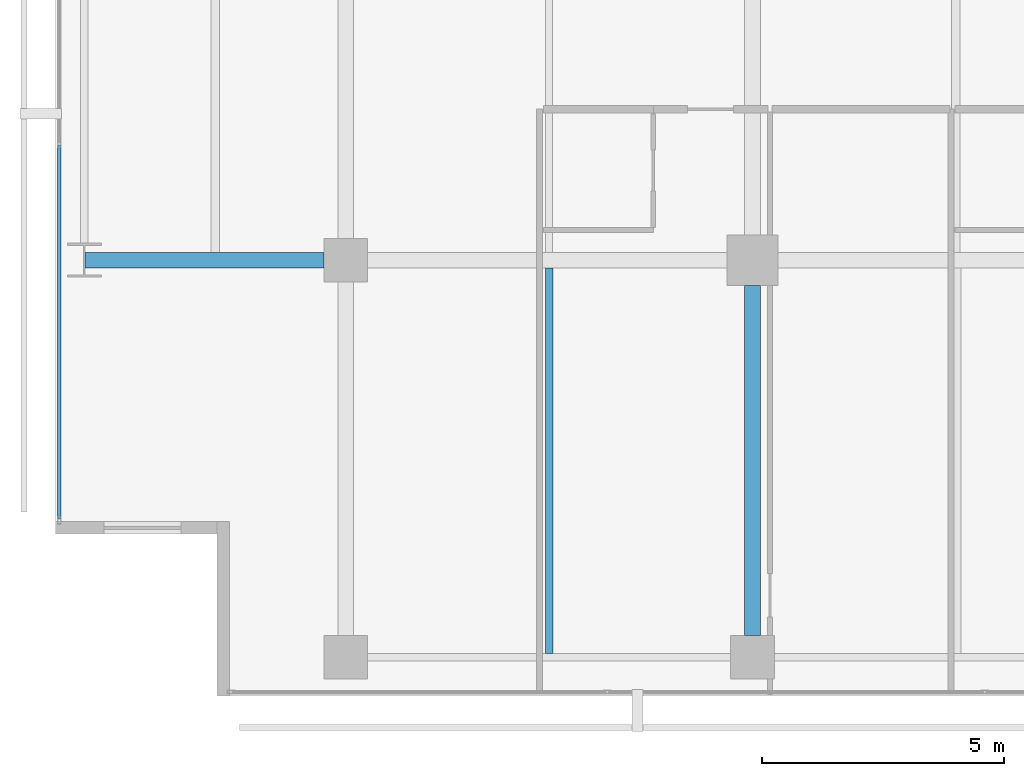
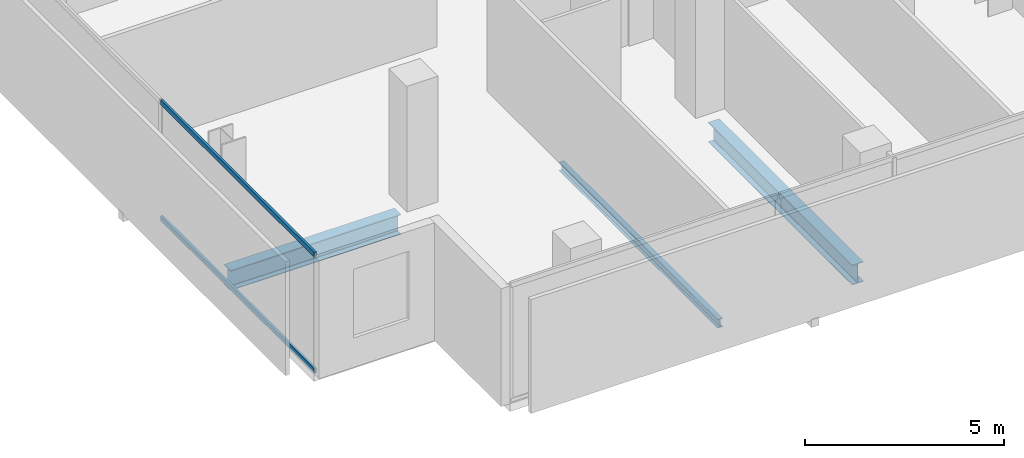
# One storey, part 4 of 40: 3 beams, 2 members, 1 element without a shape of its own.
"""IFC4 building model written with IfcOpenShell, lengths in metres."""

from ifc_helpers import new_model, si_unit, direction, frame, origin, origin_2d, place, context, subcontext, project, spatial, hollow_rectangle, i_section, extrude, material, layer, layer_set, material_profile, profile_set, type_object, element, aggregate, save


model = new_model("IFC4")

# Units and contexts
model_context = context("Model", 3, precision=1e-05, world=origin(), true_north=direction((0.0, 1.0)))
body_context = subcontext(model_context, "Body", "Model", "MODEL_VIEW")
ifc_project = project(units=[si_unit("LENGTHUNIT", "METRE"), si_unit("AREAUNIT", "SQUARE_METRE"), si_unit("VOLUMEUNIT", "CUBIC_METRE"), si_unit("PLANEANGLEUNIT", "RADIAN"), si_unit("MASSUNIT", "GRAM", prefix="KILO")], contexts=[model_context])

# Site, building, storey
site_placement = place(None, origin())
site = spatial("IfcSite", under=ifc_project, at=site_placement, CompositionType="ELEMENT")
building_placement = place(site_placement, origin())
building = spatial("IfcBuilding", under=site, at=building_placement, Name="Maruvema Waterfront Hotel and Observation Tower", CompositionType="ELEMENT")
storey_placement = place(building_placement, frame((0.0, 0.0, 88.550048828125)))
storey = spatial("IfcBuildingStorey", under=building, at=storey_placement, Name="L21", CompositionType="ELEMENT", Elevation=88.550048828125)

# Curtain wall, members
ifc_material_1 = material(Name="Anodised bronze aluminium and solar-control low-E IGU", Category="aluminium")
ifc_layer = layer(ifc_material_1, 0.159912109375, Name="Zone 1 Bronze Inner Thermal Curtain Wall System CW-02")
ifc_layer_set = layer_set([ifc_layer], Name="Anodised bronze aluminium and solar-control low-E IGU")
curtain_wall_type = type_object("IfcCurtainWallType", Name="Zone 1 Bronze Inner Thermal Curtain Wall System CW-02", PredefinedType="USERDEFINED", material=ifc_layer_set)
curtain_wall_placement = place(storey_placement, origin())
curtain_wall = element("IfcCurtainWall", 1, at=curtain_wall_placement, inside=storey, type_object=curtain_wall_type, Name="L21 Curtain Wall CW-L21-W", ObjectType="UNITISED CURTAIN WALL", PredefinedType="USERDEFINED")
ifc_material_2 = material(Name="Anodised architectural bronze aluminium", Category="aluminium")
ifc_material_profile_1 = material_profile(ifc_material_2, hollow_rectangle(XDim=0.070068359375, YDim=0.14990234375, WallThickness=0.00390625, at=origin_2d()), Name="ALU-T70x150")
ifc_profile_set_1 = profile_set([ifc_material_profile_1], Name="Anodised architectural bronze aluminium")
member_type = type_object("IfcMemberType", Name="Curtain Wall Horizontal Transom ALU-T70x150", PredefinedType="USERDEFINED", material=ifc_profile_set_1)
member_1_placement = place(storey_placement, frame((10.8798828125, 11.3701171875, 0.030029296875), z_axis=(0.0, -1.0, 0.0), x_axis=(1.0, 0.0, 0.0)))
member_1 = element("IfcMember", 2, at=member_1_placement, type_object=member_type, Name="CW-02 transom 6.1", ObjectType="TRANSOM", PredefinedType="USERDEFINED", context=body_context, shape_type="SweptSolid", body=[
    extrude(hollow_rectangle(XDim=0.070068359375, YDim=0.14990234375, WallThickness=0.00390625, at=origin_2d()), origin(), (0.0, 0.0, 1.0), 7.710205078125),
])
member_2_placement = place(storey_placement, frame((10.8798828125, 11.3701171875, 3.579833984375), z_axis=(0.0, -1.0, 0.0), x_axis=(1.0, 0.0, 0.0)))
member_2 = element("IfcMember", 3, at=member_2_placement, type_object=member_type, Name="CW-02 transom 6.2", ObjectType="TRANSOM", PredefinedType="USERDEFINED", context=body_context, shape_type="SweptSolid", body=[
    extrude(hollow_rectangle(XDim=0.070068359375, YDim=0.14990234375, WallThickness=0.00390625, at=origin_2d()), origin(), (0.0, 0.0, 1.0), 7.710205078125),
])
aggregate(curtain_wall, [member_1, member_2])

# Beams
ifc_material_3 = material(Name="Steel ASTM A572 Grade 50", Category="steel")
ifc_material_profile_2 = material_profile(ifc_material_3, i_section(OverallWidth=0.323974609375, OverallDepth=0.611083984375, WebThickness=0.0126953125, FlangeThickness=0.01904296875, FilletRadius=0.01806640625, at=origin_2d()), Name="W610x155.0")
ifc_profile_set_2 = profile_set([ifc_material_profile_2], Name="Steel ASTM A572 Grade 50")
beam_type_1 = type_object("IfcBeamType", Name="Primary Floor Girder W610x155.0", PredefinedType="BEAM", material=ifc_profile_set_2)
beam_1_placement = place(storey_placement, frame((11.4140625, 9.0, -0.545654296875), z_axis=(1.0, 0.0, 0.0), x_axis=(0.0, 1.0, 0.0)))
element("IfcBeam", 4, at=beam_1_placement, inside=storey, type_object=beam_type_1, Name="L21 Floor Girder EW-06", PredefinedType="BEAM", context=body_context, shape_type="SweptSolid", body=[
    extrude(i_section(OverallWidth=0.323974609375, OverallDepth=0.611083984375, WebThickness=0.0126953125, FlangeThickness=0.01904296875, FilletRadius=0.01806640625, at=origin_2d()), origin(), (0.0, 0.0, 1.0), 4.93603515625),
])
beam_2_placement = place(storey_placement, frame((25.199951171875, 1.25, -0.545654296875), z_axis=(0.0, 1.0, 0.0), x_axis=(-1.0, 0.0, 0.0)))
element("IfcBeam", 5, at=beam_2_placement, inside=storey, type_object=beam_type_1, Name="L21 Floor Girder NS-11", PredefinedType="BEAM", context=body_context, shape_type="SweptSolid", body=[
    extrude(i_section(OverallWidth=0.323974609375, OverallDepth=0.611083984375, WebThickness=0.0126953125, FlangeThickness=0.01904296875, FilletRadius=0.01806640625, at=origin_2d()), origin(), (0.0, 0.0, 1.0), 7.22509765625),
])
ifc_material_4 = material(Name="Steel ASTM A572 Grade 50", Category="steel")
ifc_material_profile_3 = material_profile(ifc_material_4, i_section(OverallWidth=0.14794921875, OverallDepth=0.26611328125, WebThickness=0.007568359375, FlangeThickness=0.012939453125, FilletRadius=0.012939453125, at=origin_2d()), Name="W250x44.8")
ifc_profile_set_3 = profile_set([ifc_material_profile_3], Name="Steel ASTM A572 Grade 50")
beam_type_2 = type_object("IfcBeamType", Name="Secondary Floor Joist W250x44.8", PredefinedType="JOIST", material=ifc_profile_set_3)
beam_3_placement = place(storey_placement, frame((21.0, 0.87646484375, -0.373046875), z_axis=(0.0, 1.0, 0.0), x_axis=(-1.0, 0.0, 0.0)))
element("IfcBeam", 6, at=beam_3_placement, inside=storey, type_object=beam_type_2, Name="L21 Secondary Floor Joist JS-05", PredefinedType="JOIST", context=body_context, shape_type="SweptSolid", body=[
    extrude(i_section(OverallWidth=0.14794921875, OverallDepth=0.26611328125, WebThickness=0.007568359375, FlangeThickness=0.012939453125, FilletRadius=0.012939453125, at=origin_2d()), origin(), (0.0, 0.0, 1.0), 7.96142578125),
])

save(model, "model.ifc")
